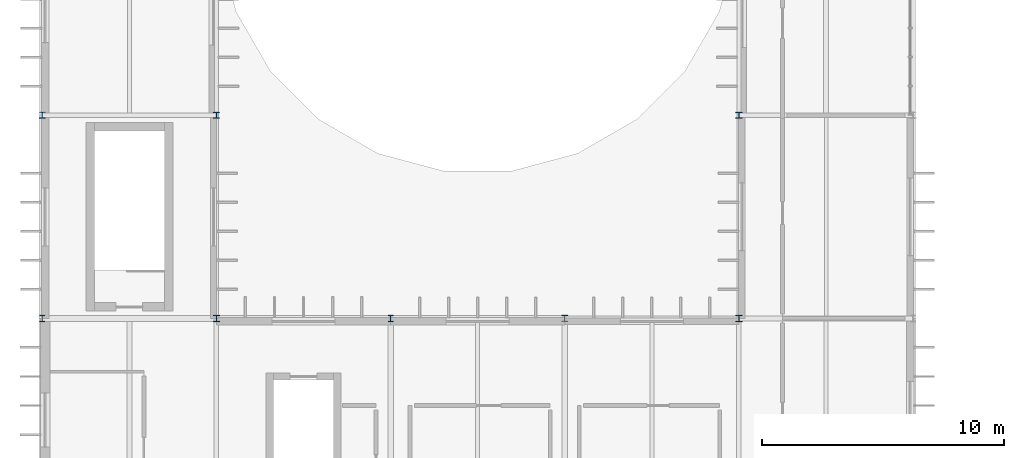
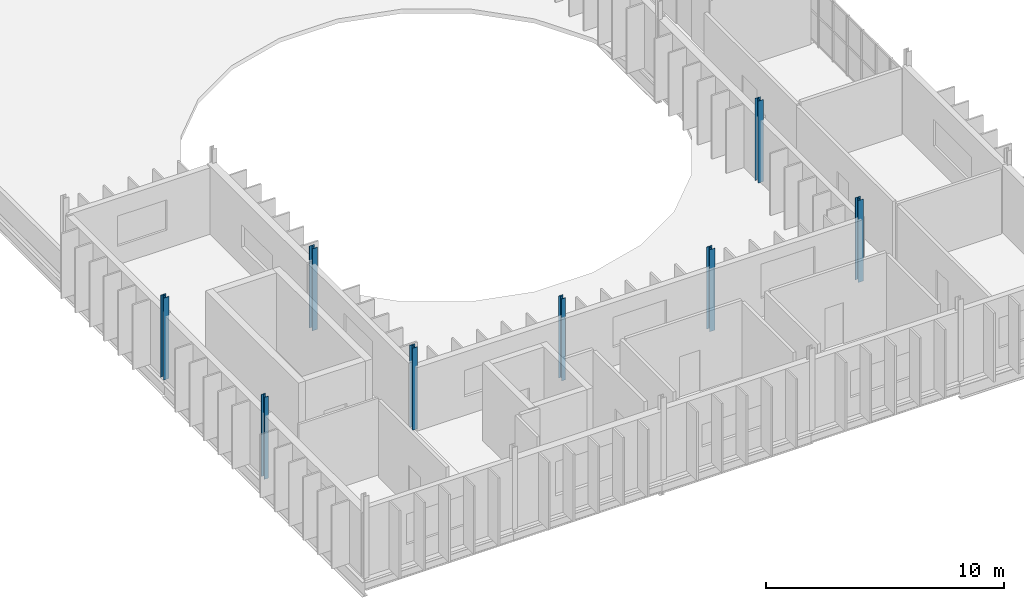
# One storey, part 3 of 18: 8 columns.
"""IFC4 building model written with IfcOpenShell, lengths in metres."""

from ifc_helpers import new_model, si_unit, direction, frame, origin, origin_2d, place, context, subcontext, project, spatial, i_section, extrude, material, material_profile, profile_set, type_object, element, save


model = new_model("IFC4")

# Units and contexts
model_context = context("Model", 3, precision=1e-05, world=origin(), true_north=direction((0.0, 1.0)))
body_context = subcontext(model_context, "Body", "Model", "MODEL_VIEW")
ifc_project = project(units=[si_unit("LENGTHUNIT", "METRE"), si_unit("AREAUNIT", "SQUARE_METRE"), si_unit("VOLUMEUNIT", "CUBIC_METRE"), si_unit("PLANEANGLEUNIT", "RADIAN"), si_unit("MASSUNIT", "GRAM", prefix="KILO")], contexts=[model_context])

# Site, building, storey
site_placement = place(None, origin())
site = spatial("IfcSite", under=ifc_project, at=site_placement, CompositionType="ELEMENT")
building_placement = place(site_placement, origin())
building = spatial("IfcBuilding", under=site, at=building_placement, Name="Qelthora Terrace Specialist Clinic", CompositionType="ELEMENT")
storey_placement = place(building_placement, frame((0.0, 0.0, 21.60009765625)))
storey = spatial("IfcBuildingStorey", under=building, at=storey_placement, Name="L05", CompositionType="ELEMENT", Elevation=21.60009765625)

# Columns
ifc_material = material(Name="Steel S355", Category="steel")
ifc_material_profile_1 = material_profile(ifc_material, i_section(OverallWidth=0.2041015625, OverallDepth=0.257080078125, WebThickness=0.0087890625, FlangeThickness=0.015625, FilletRadius=0.012939453125, at=origin_2d()), Name="W250X67")
ifc_profile_set_1 = profile_set([ifc_material_profile_1], Name="Steel S355")
column_type_1 = type_object("IfcColumnType", Name="COL-W250X67", PredefinedType="COLUMN", material=ifc_profile_set_1)
for number, where, z_axis, x_axis, name in (
    (1, (7.199951171875, 67.199951171875, 0.0), (0.0, 0.0, 1.0), (1.0, 0.0, 0.0), "Column L05-023"),
    (2, (21.60009765625, 67.199951171875, 0.0), (0.0, 0.0, 1.0), (1.0, 0.0, 0.0), "Column L05-051"),
):
    element("IfcColumn", number, at=place(storey_placement, frame(where, z_axis=z_axis, x_axis=x_axis)), inside=storey, type_object=column_type_1, Name=name, PredefinedType="COLUMN", context=body_context, shape_type="SweptSolid", body=[
        extrude(i_section(OverallWidth=0.2041015625, OverallDepth=0.257080078125, WebThickness=0.0087890625, FlangeThickness=0.015625, FilletRadius=0.012939453125, at=origin_2d()), origin(), (0.0, 0.0, 1.0), 4.199951171875),
    ])
ifc_material_profile_2 = material_profile(ifc_material, i_section(OverallWidth=0.25390625, OverallDepth=0.2529296875, WebThickness=0.008544921875, FlangeThickness=0.01416015625, FilletRadius=0.012939453125, at=origin_2d()), Name="W250X73")
ifc_profile_set_2 = profile_set([ifc_material_profile_2], Name="Steel S355")
column_type_2 = type_object("IfcColumnType", Name="COL-W250X73", PredefinedType="COLUMN", material=ifc_profile_set_2)
for number, where, z_axis, x_axis, name in (
    (3, (14.39990234375, 75.60009765625, 0.0), (0.0, 0.0, 1.0), (1.0, 0.0, 0.0), "Column L05-038"),
    (4, (28.800048828125, 67.199951171875, 0.0), (0.0, 0.0, 1.0), (1.0, 0.0, 0.0), "Column L05-062"),
    (5, (36.0, 75.60009765625, 0.0), (0.0, 0.0, 1.0), (1.0, 0.0, 0.0), "Column L05-074"),
):
    element("IfcColumn", number, at=place(storey_placement, frame(where, z_axis=z_axis, x_axis=x_axis)), inside=storey, type_object=column_type_2, Name=name, PredefinedType="COLUMN", context=body_context, shape_type="SweptSolid", body=[
        extrude(i_section(OverallWidth=0.25390625, OverallDepth=0.2529296875, WebThickness=0.008544921875, FlangeThickness=0.01416015625, FilletRadius=0.012939453125, at=origin_2d()), origin(), (0.0, 0.0, 1.0), 4.199951171875),
    ])
ifc_material_profile_3 = material_profile(ifc_material, i_section(OverallWidth=0.2548828125, OverallDepth=0.256103515625, WebThickness=0.009521484375, FlangeThickness=0.015625, FilletRadius=0.012939453125, at=origin_2d()), Name="W250X80")
ifc_profile_set_3 = profile_set([ifc_material_profile_3], Name="Steel S355")
column_type_3 = type_object("IfcColumnType", Name="COL-W250X80", PredefinedType="COLUMN", material=ifc_profile_set_3)
for number, where, z_axis, x_axis, name in (
    (6, (14.39990234375, 67.199951171875, 0.0), (0.0, 0.0, 1.0), (1.0, 0.0, 0.0), "Column L05-037"),
    (7, (36.0, 67.199951171875, 0.0), (0.0, 0.0, 1.0), (1.0, 0.0, 0.0), "Column L05-073"),
):
    element("IfcColumn", number, at=place(storey_placement, frame(where, z_axis=z_axis, x_axis=x_axis)), inside=storey, type_object=column_type_3, Name=name, PredefinedType="COLUMN", context=body_context, shape_type="SweptSolid", body=[
        extrude(i_section(OverallWidth=0.2548828125, OverallDepth=0.256103515625, WebThickness=0.009521484375, FlangeThickness=0.015625, FilletRadius=0.012939453125, at=origin_2d()), origin(), (0.0, 0.0, 1.0), 4.199951171875),
    ])
ifc_material_profile_4 = material_profile(ifc_material, i_section(OverallWidth=0.256103515625, OverallDepth=0.260009765625, WebThickness=0.0107421875, FlangeThickness=0.017333984375, FilletRadius=0.012939453125, at=origin_2d()), Name="W250X89")
ifc_profile_set_4 = profile_set([ifc_material_profile_4], Name="Steel S355")
column_type_4 = type_object("IfcColumnType", Name="COL-W250X89", PredefinedType="COLUMN", material=ifc_profile_set_4)
column_placement = place(storey_placement, frame((7.199951171875, 75.60009765625, 0.0), z_axis=(0.0, 0.0, 1.0), x_axis=(1.0, 0.0, 0.0)))
element("IfcColumn", 8, at=column_placement, inside=storey, type_object=column_type_4, Name="Column L05-024", PredefinedType="COLUMN", context=body_context, shape_type="SweptSolid", body=[
    extrude(i_section(OverallWidth=0.256103515625, OverallDepth=0.260009765625, WebThickness=0.0107421875, FlangeThickness=0.017333984375, FilletRadius=0.012939453125, at=origin_2d()), origin(), (0.0, 0.0, 1.0), 4.199951171875),
])

save(model, "model.ifc")
